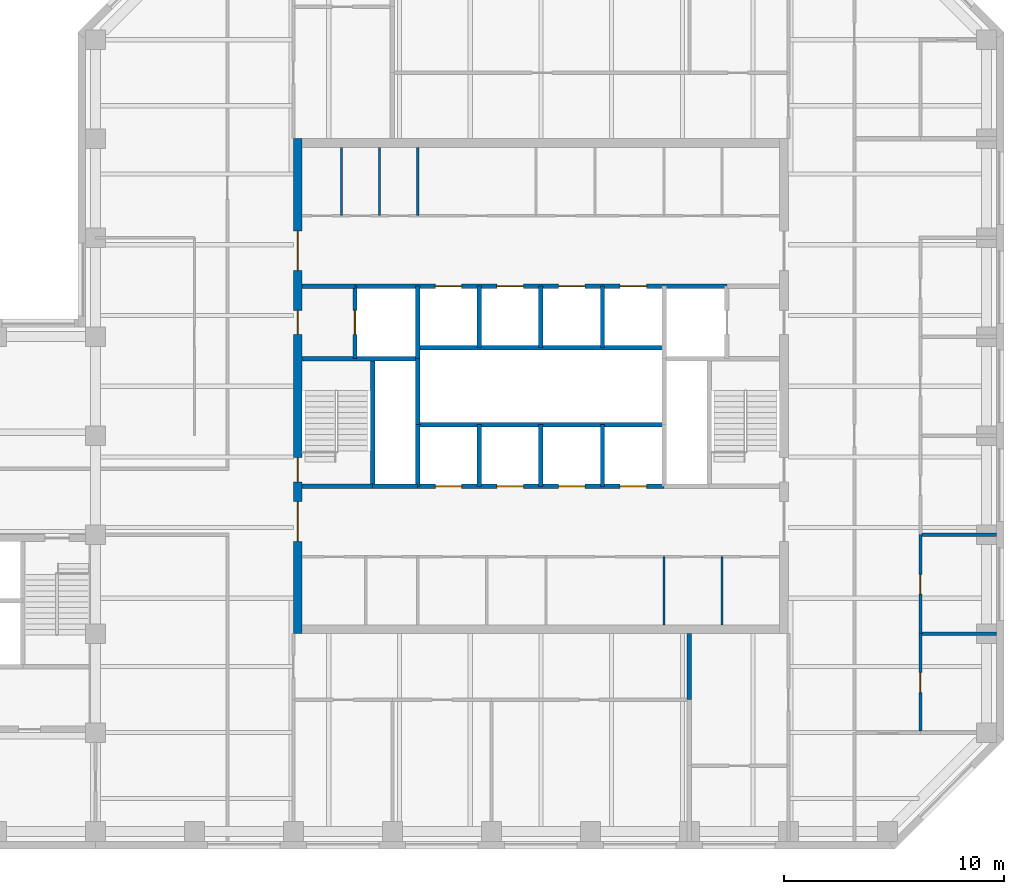
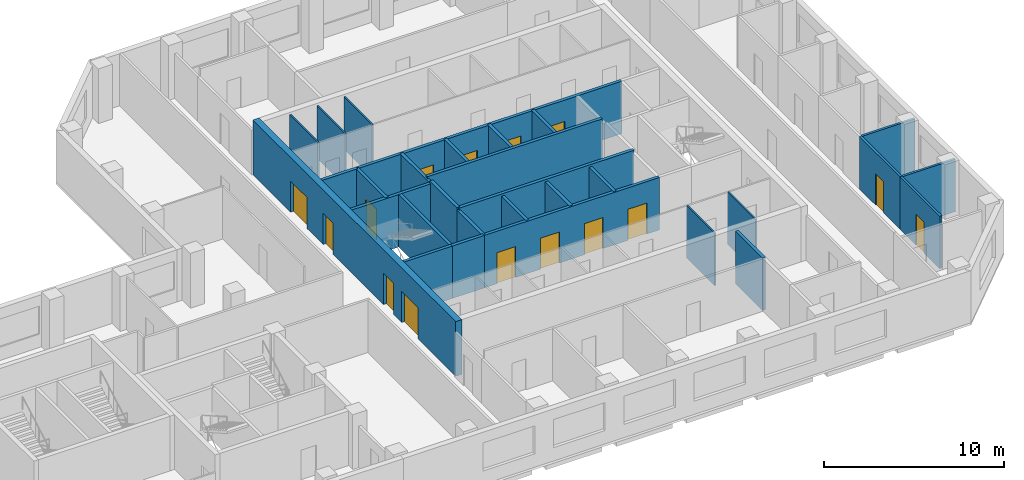
# One storey, part 5 of 9: 30 walls, 15 doors, 15 openings.
"""IFC4 building model written with IfcOpenShell, lengths in metres."""

from ifc_helpers import new_model, si_unit, direction, frame, frame_2d, origin, place, context, subcontext, project, spatial, rectangle, extrude, material, layer, layer_set, type_object, element, fill, save


model = new_model("IFC4")

# Units and contexts
model_context = context("Model", 3, precision=1e-05, world=origin(), true_north=direction((0.0, 1.0)))
body_context = subcontext(model_context, "Body", "Model", "MODEL_VIEW")
ifc_project = project(units=[si_unit("LENGTHUNIT", "METRE"), si_unit("AREAUNIT", "SQUARE_METRE"), si_unit("VOLUMEUNIT", "CUBIC_METRE"), si_unit("PLANEANGLEUNIT", "RADIAN"), si_unit("MASSUNIT", "GRAM", prefix="KILO")], contexts=[model_context])

# Site, building, storey
site_placement = place(None, origin())
site = spatial("IfcSite", under=ifc_project, at=site_placement, CompositionType="ELEMENT")
building_placement = place(site_placement, origin())
building = spatial("IfcBuilding", under=site, at=building_placement, Name="Quoin Convention Tower", CompositionType="ELEMENT")
storey_placement = place(building_placement, frame((0.0, 0.0, 181.0)))
storey = spatial("IfcBuildingStorey", under=building, at=storey_placement, Name="L47", CompositionType="ELEMENT", Elevation=181.0)

# Walls
ifc_material_1 = material(Name="Plasterboard")
ifc_layer_1 = layer(ifc_material_1, 0.012451171875, Name="Finish")
ifc_material_2 = material(Name="Steel stud framing", Category="steel")
ifc_layer_2 = layer(ifc_material_2, 0.125, Name="Structure")
ifc_layer_3 = layer(ifc_material_1, 0.012451171875, Name="Finish")
ifc_layer_set_1 = layer_set([ifc_layer_1, ifc_layer_2, ifc_layer_3], Name="Steel stud framing")
wall_type_1 = type_object("IfcWallType", Name="Acoustic partition 150", PredefinedType="PARTITIONING", material=ifc_layer_set_1)
for number, where, z_axis, x_axis, name in (
    (1, (73.574951171875, 49.5, 0.0), (0.0, 0.0, 1.0), (1.0, 0.0, 0.0), "pw-L47-009"),
    (2, (73.574951171875, 54.0, 0.0), (0.0, 0.0, 1.0), (1.0, 0.0, 0.0), "pw-L47-012"),
):
    element("IfcWall", number, at=place(storey_placement, frame(where, z_axis=z_axis, x_axis=x_axis)), inside=storey, type_object=wall_type_1, Name=name, PredefinedType="PARTITIONING", context=body_context, shape_type="SweptSolid", body=[
        extrude(rectangle(XDim=3.375, YDim=0.14990234375, at=frame_2d((1.6875, 0.0))), origin(), (0.0, 0.0, 1.0), 3.550048828125),
    ])

# Wall, opening, door
wall_1_placement = place(storey_placement, frame((73.5, 45.074951171875, 0.0), z_axis=(0.0, 0.0, 1.0), x_axis=(0.0, 1.0, 0.0)))
wall_1 = element("IfcWall", 3, at=wall_1_placement, inside=storey, type_object=wall_type_1, Name="pw-L47-037", PredefinedType="PARTITIONING", context=body_context, shape_type="SweptSolid", body=[
    extrude(rectangle(XDim=4.425048828125, YDim=0.14990234375, at=frame_2d((2.21240234375, 0.0))), origin(), (0.0, 0.0, 1.0), 3.550048828125),
])
opening_1_placement = place(wall_1_placement, frame((1.75, 0.0, 0.0)))
opening_1 = element("IfcOpeningElement", 4, at=opening_1_placement, cuts=wall_1, Name="Opening DOH5-13", PredefinedType="OPENING", context=body_context, shape_type="SweptSolid", body=[
    extrude(rectangle(XDim=0.89990234375, YDim=2.10009765625, at=frame_2d((0.449951171875, 1.050048828125))), frame((0.0, 0.0849609375, 0.0), z_axis=(0.0, -1.0, 0.0), x_axis=(1.0, 0.0, 0.0)), (0.0, 0.0, 1.0), 0.169921875),
])
ifc_material_3 = material(Name="Steel door leaf", Category="steel")
door_type_1 = type_object("IfcDoorType", Name="Office door 900 x 2100", OperationType="SINGLE_SWING_RIGHT", PredefinedType="DOOR", material=ifc_material_3)
door_1_placement = place(opening_1_placement, origin())
door_1 = element("IfcDoor", 5, at=door_1_placement, inside=storey, type_object=door_type_1, Name="dr-L47-20", OperationType="SINGLE_SWING_RIGHT", OverallHeight=2.10009765625, OverallWidth=0.89990234375, PredefinedType="DOOR", context=body_context, shape_type="SweptSolid", body=[
    extrude(rectangle(XDim=0.89990234375, YDim=2.10009765625, at=frame_2d((0.449951171875, 1.050048828125))), frame((0.0, 0.02490234375, 0.0), z_axis=(0.0, -1.0, 0.0), x_axis=(1.0, 0.0, 0.0)), (0.0, 0.0, 1.0), 0.050048828125),
])
fill(opening_1, door_1)

wall_2_placement = place(storey_placement, frame((73.5, 49.5, 0.0), z_axis=(0.0, 0.0, 1.0), x_axis=(0.0, 1.0, 0.0)))
wall_2 = element("IfcWall", 6, at=wall_2_placement, inside=storey, type_object=wall_type_1, Name="pw-L47-041", PredefinedType="PARTITIONING", context=body_context, shape_type="SweptSolid", body=[
    extrude(rectangle(XDim=4.5, YDim=0.14990234375, at=frame_2d((2.25, 0.0))), origin(), (0.0, 0.0, 1.0), 3.550048828125),
])
opening_2_placement = place(wall_2_placement, frame((1.800048828125, 0.0, 0.0)))
opening_2 = element("IfcOpeningElement", 7, at=opening_2_placement, cuts=wall_2, Name="Opening DOH5-15", PredefinedType="OPENING", context=body_context, shape_type="SweptSolid", body=[
    extrude(rectangle(XDim=0.89990234375, YDim=2.10009765625, at=frame_2d((0.449951171875, 1.050048828125))), frame((0.0, 0.0849609375, 0.0), z_axis=(0.0, -1.0, 0.0), x_axis=(1.0, 0.0, 0.0)), (0.0, 0.0, 1.0), 0.169921875),
])
door_2_placement = place(opening_2_placement, origin())
door_2 = element("IfcDoor", 8, at=door_2_placement, inside=storey, type_object=door_type_1, Name="dr-L47-21", OperationType="SINGLE_SWING_RIGHT", OverallHeight=2.10009765625, OverallWidth=0.89990234375, PredefinedType="DOOR", context=body_context, shape_type="SweptSolid", body=[
    extrude(rectangle(XDim=0.89990234375, YDim=2.10009765625, at=frame_2d((0.449951171875, 1.050048828125))), frame((0.0, 0.02490234375, 0.0), z_axis=(0.0, -1.0, 0.0), x_axis=(1.0, 0.0, 0.0)), (0.0, 0.0, 1.0), 0.050048828125),
])
fill(opening_2, door_2)

# Walls
ifc_layer_4 = layer(ifc_material_1, 0.012451171875, Name="Finish")
ifc_layer_5 = layer(ifc_material_2, 0.074951171875, Name="Structure")
ifc_layer_6 = layer(ifc_material_1, 0.012451171875, Name="Finish")
ifc_layer_set_2 = layer_set([ifc_layer_4, ifc_layer_5, ifc_layer_6], Name="Steel stud framing")
wall_type_2 = type_object("IfcWallType", Name="Core partition wall", PredefinedType="PARTITIONING", material=ifc_layer_set_2)
for number, where, z_axis, x_axis, name in (
    (9, (47.18505859375, 68.5, 0.0), (0.0, 0.0, 1.0), (0.0, 1.0, 0.0), "cr-C1-L47-v2185_19000"),
    (10, (48.91748046875, 68.5, 0.0), (0.0, 0.0, 1.0), (0.0, 1.0, 0.0), "cr-C1-L47-v3918_19000"),
    (11, (50.64990234375, 68.5, 0.0), (0.0, 0.0, 1.0), (0.0, 1.0, 0.0), "cr-C1-L47-v5650_19000"),
    (12, (61.85009765625, 49.89990234375, 0.0), (0.0, 0.0, 1.0), (0.0, 1.0, 0.0), "cr-C1-L47-v16850_400"),
    (13, (64.47509765625, 49.89990234375, 0.0), (0.0, 0.0, 1.0), (0.0, 1.0, 0.0), "cr-C1-L47-v19475_400"),
):
    element("IfcWall", number, at=place(storey_placement, frame(where, z_axis=z_axis, x_axis=x_axis)), inside=storey, type_object=wall_type_2, Name=name, PredefinedType="PARTITIONING", context=body_context, shape_type="SweptSolid", body=[
        extrude(rectangle(XDim=3.10009765625, YDim=0.10009765625, at=frame_2d((1.550048828125, 0.0))), origin(), (0.0, 0.0, 1.0), 3.550048828125),
    ])
ifc_material_4 = material(Name="Concrete C50", Category="concrete")
ifc_layer_7 = layer(ifc_material_4, 0.199951171875)
ifc_layer_set_3 = layer_set([ifc_layer_7], Name="Concrete C50")
wall_type_3 = type_object("IfcWallType", Name="Core shaft wall", PredefinedType="SOLIDWALL", material=ifc_layer_set_3)
wall_3_placement = place(storey_placement, frame((48.60009765625, 56.199951171875, 0.0), z_axis=(0.0, 0.0, 1.0), x_axis=(1.0, 0.0, 0.0)))
element("IfcWall", 14, at=wall_3_placement, inside=storey, type_object=wall_type_3, Name="cr-C1-L47-h6700_3600", PredefinedType="SOLIDWALL", context=body_context, shape_type="SweptSolid", body=[
    extrude(rectangle(XDim=2.0498046875, YDim=0.199951171875, at=frame_2d((1.02490234375, 0.0))), origin(), (0.0, 0.0, 1.0), 3.550048828125),
])
wall_4_placement = place(storey_placement, frame((45.39990234375, 56.199951171875, 0.0), z_axis=(0.0, 0.0, 1.0), x_axis=(1.0, 0.0, 0.0)))
element("IfcWall", 15, at=wall_4_placement, inside=storey, type_object=wall_type_3, Name="cr-C1-L47-h6700_400", PredefinedType="SOLIDWALL", context=body_context, shape_type="SweptSolid", body=[
    extrude(rectangle(XDim=3.2001953125, YDim=0.199951171875, at=frame_2d((1.60009765625, 0.0))), origin(), (0.0, 0.0, 1.0), 3.550048828125),
])

# Wall, openings, doors
wall_5_placement = place(storey_placement, frame((50.64990234375, 56.199951171875, 0.0), z_axis=(0.0, 0.0, 1.0), x_axis=(1.0, 0.0, 0.0)))
wall_5 = element("IfcWall", 16, at=wall_5_placement, inside=storey, type_object=wall_type_3, Name="cr-C1-L47-h6700_5650", PredefinedType="SOLIDWALL", context=body_context, shape_type="SweptSolid", body=[
    extrude(rectangle(XDim=11.2001953125, YDim=0.199951171875, at=frame_2d((5.60009765625, 0.0))), origin(), (0.0, 0.0, 1.0), 3.550048828125),
])
opening_3_placement = place(wall_5_placement, frame((0.800048828125, 0.0, 0.0)))
opening_3 = element("IfcOpeningElement", 17, at=opening_3_placement, cuts=wall_5, Name="Opening LDH1", PredefinedType="OPENING", context=body_context, shape_type="SweptSolid", body=[
    extrude(rectangle(XDim=1.199951171875, YDim=2.10009765625, at=frame_2d((0.60009765625, 1.050048828125))), frame((0.0, 0.10986328125, 0.0), z_axis=(0.0, -1.0, 0.0), x_axis=(1.0, 0.0, 0.0)), (0.0, 0.0, 1.0), 0.219970703125),
])
opening_4_placement = place(wall_5_placement, frame((3.60009765625, 0.0, 0.0)))
opening_4 = element("IfcOpeningElement", 18, at=opening_4_placement, cuts=wall_5, Name="Opening LDH2", PredefinedType="OPENING", context=body_context, shape_type="SweptSolid", body=[
    extrude(rectangle(XDim=1.199951171875, YDim=2.10009765625, at=frame_2d((0.60009765625, 1.050048828125))), frame((0.0, 0.10986328125, 0.0), z_axis=(0.0, -1.0, 0.0), x_axis=(1.0, 0.0, 0.0)), (0.0, 0.0, 1.0), 0.219970703125),
])
opening_5_placement = place(wall_5_placement, frame((6.39990234375, 0.0, 0.0)))
opening_5 = element("IfcOpeningElement", 19, at=opening_5_placement, cuts=wall_5, Name="Opening LDH3", PredefinedType="OPENING", context=body_context, shape_type="SweptSolid", body=[
    extrude(rectangle(XDim=1.199951171875, YDim=2.10009765625, at=frame_2d((0.60009765625, 1.050048828125))), frame((0.0, 0.10986328125, 0.0), z_axis=(0.0, -1.0, 0.0), x_axis=(1.0, 0.0, 0.0)), (0.0, 0.0, 1.0), 0.219970703125),
])
opening_6_placement = place(wall_5_placement, frame((9.199951171875, 0.0, 0.0)))
opening_6 = element("IfcOpeningElement", 20, at=opening_6_placement, cuts=wall_5, Name="Opening LDH4", PredefinedType="OPENING", context=body_context, shape_type="SweptSolid", body=[
    extrude(rectangle(XDim=1.199951171875, YDim=2.10009765625, at=frame_2d((0.60009765625, 1.050048828125))), frame((0.0, 0.10986328125, 0.0), z_axis=(0.0, -1.0, 0.0), x_axis=(1.0, 0.0, 0.0)), (0.0, 0.0, 1.0), 0.219970703125),
])
door_type_2 = type_object("IfcDoorType", Name="Lift landing door 1200 x 2100", OperationType="DOUBLE_DOOR_SLIDING", PredefinedType="DOOR", material=ifc_material_3)
door_3_placement = place(opening_3_placement, origin())
door_3 = element("IfcDoor", 21, at=door_3_placement, inside=storey, type_object=door_type_2, Name="cd-C1-L47-R20-lobA-LDH1", OperationType="DOUBLE_DOOR_SLIDING", OverallHeight=2.10009765625, OverallWidth=1.199951171875, PredefinedType="DOOR", context=body_context, shape_type="SweptSolid", body=[
    extrude(rectangle(XDim=1.199951171875, YDim=2.10009765625, at=frame_2d((0.60009765625, 1.050048828125))), frame((0.0, 0.02490234375, 0.0), z_axis=(0.0, -1.0, 0.0), x_axis=(1.0, 0.0, 0.0)), (0.0, 0.0, 1.0), 0.050048828125),
])
fill(opening_3, door_3)
door_4_placement = place(opening_4_placement, origin())
door_4 = element("IfcDoor", 22, at=door_4_placement, inside=storey, type_object=door_type_2, Name="cd-C1-L47-R21-lobA-LDH2", OperationType="DOUBLE_DOOR_SLIDING", OverallHeight=2.10009765625, OverallWidth=1.199951171875, PredefinedType="DOOR", context=body_context, shape_type="SweptSolid", body=[
    extrude(rectangle(XDim=1.199951171875, YDim=2.10009765625, at=frame_2d((0.60009765625, 1.050048828125))), frame((0.0, 0.02490234375, 0.0), z_axis=(0.0, -1.0, 0.0), x_axis=(1.0, 0.0, 0.0)), (0.0, 0.0, 1.0), 0.050048828125),
])
fill(opening_4, door_4)
door_5_placement = place(opening_5_placement, origin())
door_5 = element("IfcDoor", 23, at=door_5_placement, inside=storey, type_object=door_type_2, Name="cd-C1-L47-R22-lobA-LDH3", OperationType="DOUBLE_DOOR_SLIDING", OverallHeight=2.10009765625, OverallWidth=1.199951171875, PredefinedType="DOOR", context=body_context, shape_type="SweptSolid", body=[
    extrude(rectangle(XDim=1.199951171875, YDim=2.10009765625, at=frame_2d((0.60009765625, 1.050048828125))), frame((0.0, 0.02490234375, 0.0), z_axis=(0.0, -1.0, 0.0), x_axis=(1.0, 0.0, 0.0)), (0.0, 0.0, 1.0), 0.050048828125),
])
fill(opening_5, door_5)
door_6_placement = place(opening_6_placement, origin())
door_6 = element("IfcDoor", 24, at=door_6_placement, inside=storey, type_object=door_type_2, Name="cd-C1-L47-R23-lobA-LDH4", OperationType="DOUBLE_DOOR_SLIDING", OverallHeight=2.10009765625, OverallWidth=1.199951171875, PredefinedType="DOOR", context=body_context, shape_type="SweptSolid", body=[
    extrude(rectangle(XDim=1.199951171875, YDim=2.10009765625, at=frame_2d((0.60009765625, 1.050048828125))), frame((0.0, 0.02490234375, 0.0), z_axis=(0.0, -1.0, 0.0), x_axis=(1.0, 0.0, 0.0)), (0.0, 0.0, 1.0), 0.050048828125),
])
fill(opening_6, door_6)

# Walls
wall_6_placement = place(storey_placement, frame((45.39990234375, 62.0, 0.0), z_axis=(0.0, 0.0, 1.0), x_axis=(1.0, 0.0, 0.0)))
element("IfcWall", 25, at=wall_6_placement, inside=storey, type_object=wall_type_3, Name="cr-C1-L47-h12500_400", PredefinedType="SOLIDWALL", context=body_context, shape_type="SweptSolid", body=[
    extrude(rectangle(XDim=5.25, YDim=0.199951171875, at=frame_2d((2.625, 0.0))), origin(), (0.0, 0.0, 1.0), 3.550048828125),
])
wall_7_placement = place(storey_placement, frame((45.39990234375, 65.300048828125, 0.0), z_axis=(0.0, 0.0, 1.0), x_axis=(1.0, 0.0, 0.0)))
element("IfcWall", 26, at=wall_7_placement, inside=storey, type_object=wall_type_3, Name="cr-C1-L47-h15800_400", PredefinedType="SOLIDWALL", context=body_context, shape_type="SweptSolid", body=[
    extrude(rectangle(XDim=2.400146484375, YDim=0.199951171875, at=frame_2d((1.2001953125, 0.0))), origin(), (0.0, 0.0, 1.0), 3.550048828125),
])

# Wall, openings, doors
wall_8_placement = place(storey_placement, frame((47.800048828125, 65.300048828125, 0.0), z_axis=(0.0, 0.0, 1.0), x_axis=(1.0, 0.0, 0.0)))
wall_8 = element("IfcWall", 27, at=wall_8_placement, inside=storey, type_object=wall_type_3, Name="cr-C1-L47-h15800_2800", PredefinedType="SOLIDWALL", context=body_context, shape_type="SweptSolid", body=[
    extrude(rectangle(XDim=16.89990234375, YDim=0.199951171875, at=frame_2d((8.449951171875, 0.0))), origin(), (0.0, 0.0, 1.0), 3.550048828125),
])
opening_7_placement = place(wall_8_placement, frame((3.64990234375, 0.0, 0.0)))
opening_7 = element("IfcOpeningElement", 28, at=opening_7_placement, cuts=wall_8, Name="Opening LDH5", PredefinedType="OPENING", context=body_context, shape_type="SweptSolid", body=[
    extrude(rectangle(XDim=1.199951171875, YDim=2.10009765625, at=frame_2d((0.60009765625, 1.050048828125))), frame((0.0, 0.10986328125, 0.0), z_axis=(0.0, -1.0, 0.0), x_axis=(1.0, 0.0, 0.0)), (0.0, 0.0, 1.0), 0.219970703125),
])
opening_8_placement = place(wall_8_placement, frame((6.449951171875, 0.0, 0.0)))
opening_8 = element("IfcOpeningElement", 29, at=opening_8_placement, cuts=wall_8, Name="Opening LDH6", PredefinedType="OPENING", context=body_context, shape_type="SweptSolid", body=[
    extrude(rectangle(XDim=1.199951171875, YDim=2.10009765625, at=frame_2d((0.60009765625, 1.050048828125))), frame((0.0, 0.10986328125, 0.0), z_axis=(0.0, -1.0, 0.0), x_axis=(1.0, 0.0, 0.0)), (0.0, 0.0, 1.0), 0.219970703125),
])
opening_9_placement = place(wall_8_placement, frame((9.25, 0.0, 0.0)))
opening_9 = element("IfcOpeningElement", 30, at=opening_9_placement, cuts=wall_8, Name="Opening LDH7", PredefinedType="OPENING", context=body_context, shape_type="SweptSolid", body=[
    extrude(rectangle(XDim=1.199951171875, YDim=2.10009765625, at=frame_2d((0.60009765625, 1.050048828125))), frame((0.0, 0.10986328125, 0.0), z_axis=(0.0, -1.0, 0.0), x_axis=(1.0, 0.0, 0.0)), (0.0, 0.0, 1.0), 0.219970703125),
])
opening_10_placement = place(wall_8_placement, frame((12.050048828125, 0.0, 0.0)))
opening_10 = element("IfcOpeningElement", 31, at=opening_10_placement, cuts=wall_8, Name="Opening LDH8", PredefinedType="OPENING", context=body_context, shape_type="SweptSolid", body=[
    extrude(rectangle(XDim=1.199951171875, YDim=2.10009765625, at=frame_2d((0.60009765625, 1.050048828125))), frame((0.0, 0.10986328125, 0.0), z_axis=(0.0, -1.0, 0.0), x_axis=(1.0, 0.0, 0.0)), (0.0, 0.0, 1.0), 0.219970703125),
])
door_7_placement = place(opening_7_placement, origin())
door_7 = element("IfcDoor", 32, at=door_7_placement, inside=storey, type_object=door_type_2, Name="cd-C1-L47-R30-lobB-LDH5", OperationType="DOUBLE_DOOR_SLIDING", OverallHeight=2.10009765625, OverallWidth=1.199951171875, PredefinedType="DOOR", context=body_context, shape_type="SweptSolid", body=[
    extrude(rectangle(XDim=1.199951171875, YDim=2.10009765625, at=frame_2d((0.60009765625, 1.050048828125))), frame((0.0, 0.02490234375, 0.0), z_axis=(0.0, -1.0, 0.0), x_axis=(1.0, 0.0, 0.0)), (0.0, 0.0, 1.0), 0.050048828125),
])
fill(opening_7, door_7)
door_8_placement = place(opening_8_placement, origin())
door_8 = element("IfcDoor", 33, at=door_8_placement, inside=storey, type_object=door_type_2, Name="cd-C1-L47-R31-lobB-LDH6", OperationType="DOUBLE_DOOR_SLIDING", OverallHeight=2.10009765625, OverallWidth=1.199951171875, PredefinedType="DOOR", context=body_context, shape_type="SweptSolid", body=[
    extrude(rectangle(XDim=1.199951171875, YDim=2.10009765625, at=frame_2d((0.60009765625, 1.050048828125))), frame((0.0, 0.02490234375, 0.0), z_axis=(0.0, -1.0, 0.0), x_axis=(1.0, 0.0, 0.0)), (0.0, 0.0, 1.0), 0.050048828125),
])
fill(opening_8, door_8)
door_9_placement = place(opening_9_placement, origin())
door_9 = element("IfcDoor", 34, at=door_9_placement, inside=storey, type_object=door_type_2, Name="cd-C1-L47-R32-lobB-LDH7", OperationType="DOUBLE_DOOR_SLIDING", OverallHeight=2.10009765625, OverallWidth=1.199951171875, PredefinedType="DOOR", context=body_context, shape_type="SweptSolid", body=[
    extrude(rectangle(XDim=1.199951171875, YDim=2.10009765625, at=frame_2d((0.60009765625, 1.050048828125))), frame((0.0, 0.02490234375, 0.0), z_axis=(0.0, -1.0, 0.0), x_axis=(1.0, 0.0, 0.0)), (0.0, 0.0, 1.0), 0.050048828125),
])
fill(opening_9, door_9)
door_10_placement = place(opening_10_placement, origin())
door_10 = element("IfcDoor", 35, at=door_10_placement, inside=storey, type_object=door_type_2, Name="cd-C1-L47-R33-lobB-LDH8", OperationType="DOUBLE_DOOR_SLIDING", OverallHeight=2.10009765625, OverallWidth=1.199951171875, PredefinedType="DOOR", context=body_context, shape_type="SweptSolid", body=[
    extrude(rectangle(XDim=1.199951171875, YDim=2.10009765625, at=frame_2d((0.60009765625, 1.050048828125))), frame((0.0, 0.02490234375, 0.0), z_axis=(0.0, -1.0, 0.0), x_axis=(1.0, 0.0, 0.0)), (0.0, 0.0, 1.0), 0.050048828125),
])
fill(opening_10, door_10)

# Wall, opening, door
wall_9_placement = place(storey_placement, frame((47.800048828125, 62.0, 0.0), z_axis=(0.0, 0.0, 1.0), x_axis=(0.0, 1.0, 0.0)))
wall_9 = element("IfcWall", 36, at=wall_9_placement, inside=storey, type_object=wall_type_3, Name="cr-C1-L47-v2800_12500", PredefinedType="SOLIDWALL", context=body_context, shape_type="SweptSolid", body=[
    extrude(rectangle(XDim=3.300048828125, YDim=0.199951171875, at=frame_2d((1.64990234375, 0.0))), origin(), (0.0, 0.0, 1.0), 3.550048828125),
])
opening_11_placement = place(wall_9_placement, frame((1.10009765625, 0.0, 0.0)))
opening_11 = element("IfcOpeningElement", 37, at=opening_11_placement, cuts=wall_9, Name="Opening LDFL1", PredefinedType="OPENING", context=body_context, shape_type="SweptSolid", body=[
    extrude(rectangle(XDim=1.10009765625, YDim=2.10009765625, at=frame_2d((0.550048828125, 1.050048828125))), frame((0.0, 0.10986328125, 0.0), z_axis=(0.0, -1.0, 0.0), x_axis=(1.0, 0.0, 0.0)), (0.0, 0.0, 1.0), 0.219970703125),
])
door_type_3 = type_object("IfcDoorType", Name="Lift landing door 1100 x 2100", OperationType="DOUBLE_DOOR_SLIDING", PredefinedType="DOOR", material=ifc_material_3)
door_11_placement = place(opening_11_placement, origin())
door_11 = element("IfcDoor", 38, at=door_11_placement, inside=storey, type_object=door_type_3, Name="cd-C1-L47-FLW-FFW-LDFL1", OperationType="DOUBLE_DOOR_SLIDING", OverallHeight=2.10009765625, OverallWidth=1.10009765625, PredefinedType="DOOR", context=body_context, shape_type="SweptSolid", body=[
    extrude(rectangle(XDim=1.10009765625, YDim=2.10009765625, at=frame_2d((0.550048828125, 1.050048828125))), frame((0.0, 0.02490234375, 0.0), z_axis=(0.0, -1.0, 0.0), x_axis=(1.0, 0.0, 0.0)), (0.0, 0.0, 1.0), 0.050048828125),
])
fill(opening_11, door_11)

# Walls
wall_10_placement = place(storey_placement, frame((48.60009765625, 56.199951171875, 0.0), z_axis=(0.0, 0.0, 1.0), x_axis=(0.0, 1.0, 0.0)))
element("IfcWall", 39, at=wall_10_placement, inside=storey, type_object=wall_type_3, Name="cr-C1-L47-v3600_6700", PredefinedType="SOLIDWALL", context=body_context, shape_type="SweptSolid", body=[
    extrude(rectangle(XDim=5.800048828125, YDim=0.199951171875, at=frame_2d((2.89990234375, 0.0))), origin(), (0.0, 0.0, 1.0), 3.550048828125),
])
wall_11_placement = place(storey_placement, frame((50.64990234375, 56.199951171875, 0.0), z_axis=(0.0, 0.0, 1.0), x_axis=(0.0, 1.0, 0.0)))
element("IfcWall", 40, at=wall_11_placement, inside=storey, type_object=wall_type_3, Name="cr-C1-L47-v5650_6700", PredefinedType="SOLIDWALL", context=body_context, shape_type="SweptSolid", body=[
    extrude(rectangle(XDim=2.800048828125, YDim=0.199951171875, at=frame_2d((1.39990234375, 0.0))), origin(), (0.0, 0.0, 1.0), 3.550048828125),
])
wall_12_placement = place(storey_placement, frame((50.64990234375, 62.0, 0.0), z_axis=(0.0, 0.0, 1.0), x_axis=(0.0, 1.0, 0.0)))
element("IfcWall", 41, at=wall_12_placement, inside=storey, type_object=wall_type_3, Name="cr-C1-L47-v5650_12500", PredefinedType="SOLIDWALL", context=body_context, shape_type="SweptSolid", body=[
    extrude(rectangle(XDim=3.300048828125, YDim=0.199951171875, at=frame_2d((1.64990234375, 0.0))), origin(), (0.0, 0.0, 1.0), 3.550048828125),
])
for number, where, z_axis, x_axis, name in (
    (42, (53.449951171875, 56.199951171875, 0.0), (0.0, 0.0, 1.0), (0.0, 1.0, 0.0), "cr-C1-L47-v8450_6700"),
    (43, (53.449951171875, 62.5, 0.0), (0.0, 0.0, 1.0), (0.0, 1.0, 0.0), "cr-C1-L47-v8450_13000"),
    (44, (56.25, 56.199951171875, 0.0), (0.0, 0.0, 1.0), (0.0, 1.0, 0.0), "cr-C1-L47-v11250_6700"),
    (45, (56.25, 62.5, 0.0), (0.0, 0.0, 1.0), (0.0, 1.0, 0.0), "cr-C1-L47-v11250_13000"),
    (46, (59.050048828125, 56.199951171875, 0.0), (0.0, 0.0, 1.0), (0.0, 1.0, 0.0), "cr-C1-L47-v14050_6700"),
    (47, (59.050048828125, 62.5, 0.0), (0.0, 0.0, 1.0), (0.0, 1.0, 0.0), "cr-C1-L47-v14050_13000"),
):
    element("IfcWall", number, at=place(storey_placement, frame(where, z_axis=z_axis, x_axis=x_axis)), inside=storey, type_object=wall_type_3, Name=name, PredefinedType="SOLIDWALL", context=body_context, shape_type="SweptSolid", body=[
        extrude(rectangle(XDim=2.800048828125, YDim=0.199951171875, at=frame_2d((1.39990234375, 0.0))), origin(), (0.0, 0.0, 1.0), 3.550048828125),
    ])
ifc_layer_8 = layer(ifc_material_4, 0.199951171875)
ifc_layer_set_4 = layer_set([ifc_layer_8], Name="Concrete C50")
wall_type_4 = type_object("IfcWallType", Name="Core shaft wall to the floor level over", PredefinedType="SOLIDWALL", material=ifc_layer_set_4)
for number, where, z_axis, x_axis, name in (
    (48, (50.64990234375, 59.0, 0.0), (0.0, 0.0, 1.0), (1.0, 0.0, 0.0), "cr-C1-L47-h9500_5650"),
    (49, (50.64990234375, 62.5, 0.0), (0.0, 0.0, 1.0), (1.0, 0.0, 0.0), "cr-C1-L47-h13000_5650"),
):
    element("IfcWall", number, at=place(storey_placement, frame(where, z_axis=z_axis, x_axis=x_axis)), inside=storey, type_object=wall_type_4, Name=name, PredefinedType="SOLIDWALL", context=body_context, shape_type="SweptSolid", body=[
        extrude(rectangle(XDim=11.2001953125, YDim=0.199951171875, at=frame_2d((5.60009765625, 0.0))), origin(), (0.0, 0.0, 1.0), 3.699951171875),
    ])
wall_13_placement = place(storey_placement, frame((50.64990234375, 59.0, 0.0), z_axis=(0.0, 0.0, 1.0), x_axis=(0.0, 1.0, 0.0)))
element("IfcWall", 50, at=wall_13_placement, inside=storey, type_object=wall_type_4, Name="cr-C1-L47-v5650_9500", PredefinedType="SOLIDWALL", context=body_context, shape_type="SweptSolid", body=[
    extrude(rectangle(XDim=3.0, YDim=0.199951171875, at=frame_2d((1.5, 0.0))), origin(), (0.0, 0.0, 1.0), 3.699951171875),
])

# Wall, openings, doors
ifc_layer_9 = layer(ifc_material_4, 0.39990234375)
ifc_layer_set_5 = layer_set([ifc_layer_9], Name="Concrete C50")
wall_type_5 = type_object("IfcWallType", Name="RC CORE WALL 400 C50", PredefinedType="SHEAR", material=ifc_layer_set_5)
wall_14_placement = place(storey_placement, frame((45.199951171875, 49.5, 0.0), z_axis=(0.0, 0.0, 1.0), x_axis=(0.0, 1.0, 0.0)))
wall_14 = element("IfcWall", 51, at=wall_14_placement, inside=storey, type_object=wall_type_5, Name="cwl-C1-L47-W", PredefinedType="SHEAR", context=body_context, shape_type="SweptSolid", body=[
    extrude(rectangle(XDim=22.5, YDim=0.39990234375, at=frame_2d((11.25, 0.0))), origin(), (0.0, 0.0, 1.0), 3.699951171875),
])
opening_12_placement = place(wall_14_placement, frame((4.199951171875, 0.0, 0.0)))
opening_12 = element("IfcOpeningElement", 52, at=opening_12_placement, cuts=wall_14, Name="Opening DCV4-41", PredefinedType="OPENING", context=body_context, shape_type="SweptSolid", body=[
    extrude(rectangle(XDim=1.800048828125, YDim=2.10009765625, at=frame_2d((0.89990234375, 1.050048828125))), frame((0.0, 0.2099609375, 0.0), z_axis=(0.0, -1.0, 0.0), x_axis=(1.0, 0.0, 0.0)), (0.0, 0.0, 1.0), 0.419921875),
])
opening_13_placement = place(wall_14_placement, frame((6.89990234375, 0.0, 0.0)))
opening_13 = element("IfcOpeningElement", 53, at=opening_13_placement, cuts=wall_14, Name="Opening SD1", PredefinedType="OPENING", context=body_context, shape_type="SweptSolid", body=[
    extrude(rectangle(XDim=1.10009765625, YDim=2.10009765625, at=frame_2d((0.550048828125, 1.050048828125))), frame((0.0, 0.2099609375, 0.0), z_axis=(0.0, -1.0, 0.0), x_axis=(1.0, 0.0, 0.0)), (0.0, 0.0, 1.0), 0.419921875),
])
opening_14_placement = place(wall_14_placement, frame((13.60009765625, 0.0, 0.0)))
opening_14 = element("IfcOpeningElement", 54, at=opening_14_placement, cuts=wall_14, Name="Opening DCV4-40", PredefinedType="OPENING", context=body_context, shape_type="SweptSolid", body=[
    extrude(rectangle(XDim=1.10009765625, YDim=2.10009765625, at=frame_2d((0.550048828125, 1.050048828125))), frame((0.0, 0.2099609375, 0.0), z_axis=(0.0, -1.0, 0.0), x_axis=(1.0, 0.0, 0.0)), (0.0, 0.0, 1.0), 0.419921875),
])
opening_15_placement = place(wall_14_placement, frame((16.5, 0.0, 0.0)))
opening_15 = element("IfcOpeningElement", 55, at=opening_15_placement, cuts=wall_14, Name="Opening DCV4-41", PredefinedType="OPENING", context=body_context, shape_type="SweptSolid", body=[
    extrude(rectangle(XDim=1.800048828125, YDim=2.10009765625, at=frame_2d((0.89990234375, 1.050048828125))), frame((0.0, 0.2099609375, 0.0), z_axis=(0.0, -1.0, 0.0), x_axis=(1.0, 0.0, 0.0)), (0.0, 0.0, 1.0), 0.419921875),
])
door_type_4 = type_object("IfcDoorType", Name="Fire-fighting lobby door 1100 x 2100", OperationType="SINGLE_SWING_LEFT", PredefinedType="DOOR", material=ifc_material_3)
door_12_placement = place(opening_14_placement, frame((1.10009765625, 0.0, 0.0), z_axis=(0.0, 0.0, 1.0), x_axis=(-1.0, 0.0, 0.0)))
door_12 = element("IfcDoor", 56, at=door_12_placement, inside=storey, type_object=door_type_4, Name="cd-C1-L47-FFW-W", OperationType="SINGLE_SWING_LEFT", OverallHeight=2.10009765625, OverallWidth=1.10009765625, PredefinedType="DOOR", context=body_context, shape_type="SweptSolid", body=[
    extrude(rectangle(XDim=1.10009765625, YDim=2.10009765625, at=frame_2d((0.550048828125, 1.050048828125))), frame((0.0, 0.02490234375, 0.0), z_axis=(0.0, -1.0, 0.0), x_axis=(1.0, 0.0, 0.0)), (0.0, 0.0, 1.0), 0.050048828125),
])
fill(opening_14, door_12)
door_type_5 = type_object("IfcDoorType", Name="Lift lobby door 1800 x 2100", OperationType="SINGLE_SWING_LEFT", PredefinedType="DOOR", material=ifc_material_3)
door_13_placement = place(opening_12_placement, frame((1.800048828125, 0.0, 0.0), z_axis=(0.0, 0.0, 1.0), x_axis=(-1.0, 0.0, 0.0)))
door_13 = element("IfcDoor", 57, at=door_13_placement, inside=storey, type_object=door_type_5, Name="cd-C1-L47-lobA-W", OperationType="SINGLE_SWING_LEFT", OverallHeight=2.10009765625, OverallWidth=1.800048828125, PredefinedType="DOOR", context=body_context, shape_type="SweptSolid", body=[
    extrude(rectangle(XDim=1.800048828125, YDim=2.10009765625, at=frame_2d((0.89990234375, 1.050048828125))), frame((0.0, 0.02490234375, 0.0), z_axis=(0.0, -1.0, 0.0), x_axis=(1.0, 0.0, 0.0)), (0.0, 0.0, 1.0), 0.050048828125),
])
fill(opening_12, door_13)
door_14_placement = place(opening_15_placement, frame((1.800048828125, 0.0, 0.0), z_axis=(0.0, 0.0, 1.0), x_axis=(-1.0, 0.0, 0.0)))
door_14 = element("IfcDoor", 58, at=door_14_placement, inside=storey, type_object=door_type_5, Name="cd-C1-L47-lobB-W", OperationType="SINGLE_SWING_LEFT", OverallHeight=2.10009765625, OverallWidth=1.800048828125, PredefinedType="DOOR", context=body_context, shape_type="SweptSolid", body=[
    extrude(rectangle(XDim=1.800048828125, YDim=2.10009765625, at=frame_2d((0.89990234375, 1.050048828125))), frame((0.0, 0.02490234375, 0.0), z_axis=(0.0, -1.0, 0.0), x_axis=(1.0, 0.0, 0.0)), (0.0, 0.0, 1.0), 0.050048828125),
])
fill(opening_15, door_14)
door_type_6 = type_object("IfcDoorType", Name="Stair door 1100 x 2100", OperationType="SINGLE_SWING_RIGHT", PredefinedType="DOOR", material=ifc_material_3)
door_15_placement = place(opening_13_placement, frame((1.10009765625, 0.0, 0.0), z_axis=(0.0, 0.0, 1.0), x_axis=(-1.0, 0.0, 0.0)))
door_15 = element("IfcDoor", 59, at=door_15_placement, inside=storey, type_object=door_type_6, Name="cd-C1-L47-STW-W", OperationType="SINGLE_SWING_RIGHT", OverallHeight=2.10009765625, OverallWidth=1.10009765625, PredefinedType="DOOR", context=body_context, shape_type="SweptSolid", body=[
    extrude(rectangle(XDim=1.10009765625, YDim=2.10009765625, at=frame_2d((0.550048828125, 1.050048828125))), frame((0.0, 0.02490234375, 0.0), z_axis=(0.0, -1.0, 0.0), x_axis=(1.0, 0.0, 0.0)), (0.0, 0.0, 1.0), 0.050048828125),
])
fill(opening_13, door_15)

# Wall
ifc_layer_10 = layer(ifc_material_1, 0.012451171875, Name="Finish")
ifc_layer_11 = layer(ifc_material_2, 0.175048828125, Name="Structure")
ifc_layer_12 = layer(ifc_material_1, 0.012451171875, Name="Finish")
ifc_layer_set_6 = layer_set([ifc_layer_10, ifc_layer_11, ifc_layer_12], Name="Steel stud framing")
wall_type_6 = type_object("IfcWallType", Name="Tenancy demising wall 200", PredefinedType="PARTITIONING", material=ifc_layer_set_6)
wall_15_placement = place(storey_placement, frame((63.0, 46.5, 0.0), z_axis=(0.0, 0.0, 1.0), x_axis=(0.0, 1.0, 0.0)))
element("IfcWall", 60, at=wall_15_placement, inside=storey, type_object=wall_type_6, Name="pw-L47-039", PredefinedType="PARTITIONING", context=body_context, shape_type="SweptSolid", body=[
    extrude(rectangle(XDim=3.0, YDim=0.199951171875, at=frame_2d((1.5, 0.0))), origin(), (0.0, 0.0, 1.0), 3.550048828125),
])

save(model, "model.ifc")
